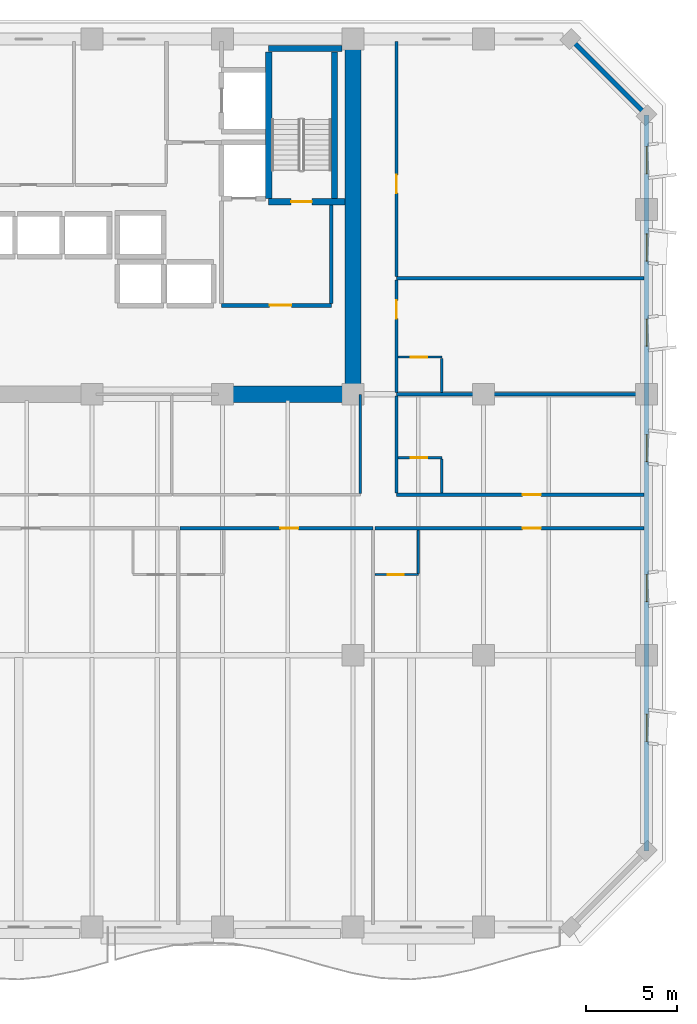
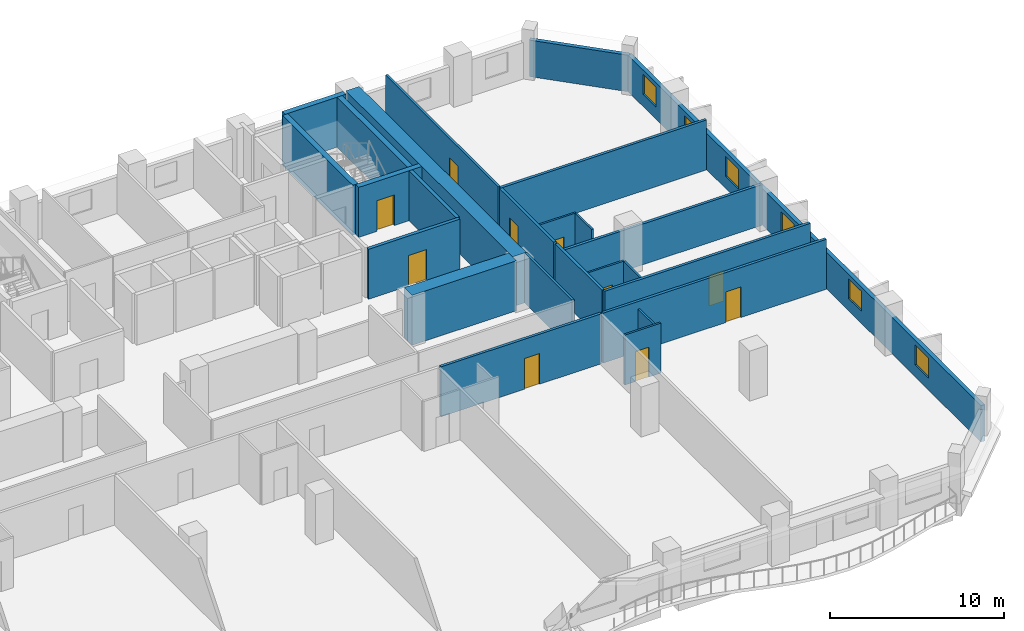
# One storey, part 10 of 15: 25 walls, 10 doors, 6 windows, 16 openings.
"""IFC4 building model written with IfcOpenShell, lengths in metres."""

from ifc_helpers import new_model, si_unit, direction, frame, frame_2d, origin, place, context, subcontext, project, spatial, rectangle, extrude, material, layer, layer_set, type_object, element, fill, save


model = new_model("IFC4")

# Units and contexts
model_context = context("Model", 3, precision=1e-05, world=origin(), true_north=direction((0.0, 1.0)))
body_context = subcontext(model_context, "Body", "Model", "MODEL_VIEW")
ifc_project = project(units=[si_unit("LENGTHUNIT", "METRE"), si_unit("AREAUNIT", "SQUARE_METRE"), si_unit("VOLUMEUNIT", "CUBIC_METRE"), si_unit("PLANEANGLEUNIT", "RADIAN"), si_unit("MASSUNIT", "GRAM", prefix="KILO")], contexts=[model_context])

# Site, building, storey
site_placement = place(None, origin())
site = spatial("IfcSite", under=ifc_project, at=site_placement, CompositionType="ELEMENT")
building_placement = place(site_placement, origin())
building = spatial("IfcBuilding", under=site, at=building_placement, Name="Kaelvorn Grand Hotel", CompositionType="ELEMENT")
storey_placement = place(building_placement, frame((0.0, 0.0, 96.800048828125)))
storey = spatial("IfcBuildingStorey", under=building, at=storey_placement, Name="L22", CompositionType="ELEMENT", Elevation=96.800048828125)

# Walls
ifc_material_1 = material(Name="Concrete C60/75", Category="concrete")
ifc_layer_1 = layer(ifc_material_1, 0.89990234375)
ifc_layer_set_1 = layer_set([ifc_layer_1], Name="Concrete C60/75")
wall_type_1 = type_object("IfcWallType", Name="WL-CORE-900-C60", PredefinedType="SHEAR", material=ifc_layer_set_1)
wall_1_placement = place(storey_placement, frame((67.800048828125, 29.39990234375, 0.0), z_axis=(0.0, 0.0, 1.0), x_axis=(0.0, 1.0, 0.0)))
element("IfcWall", 1, at=wall_1_placement, inside=storey, type_object=wall_type_1, Name="L22 Rear-Core East Shear Wall", PredefinedType="SHEAR", context=body_context, shape_type="SweptSolid", body=[
    extrude(rectangle(XDim=19.2001953125, YDim=0.89990234375, at=frame_2d((9.60009765625, 0.0))), origin(), (0.0, 0.0, 1.0), 3.510009765625),
])
wall_2_placement = place(storey_placement, frame((60.39990234375, 29.39990234375, 0.0), z_axis=(0.0, 0.0, 1.0), x_axis=(1.0, 0.0, 0.0)))
element("IfcWall", 2, at=wall_2_placement, inside=storey, type_object=wall_type_1, Name="L22 Rear-Core Coupled Shear Pier S4", PredefinedType="SHEAR", context=body_context, shape_type="SweptSolid", body=[
    extrude(rectangle(XDim=6.945068359375, YDim=0.89990234375, at=frame_2d((3.47265625, 0.0))), origin(), (0.0, 0.0, 1.0), 3.510009765625),
])

# Wall, openings, windows
ifc_material_2 = material(Name="Concrete C40/50", Category="concrete")
ifc_layer_2 = layer(ifc_material_2, 0.260009765625)
ifc_layer_set_2 = layer_set([ifc_layer_2], Name="Concrete C40/50")
wall_type_2 = type_object("IfcWallType", Name="WL-EXT-260-C40", PredefinedType="SOLIDWALL", material=ifc_layer_set_2)
wall_3_placement = place(storey_placement, frame((84.0, 4.199951171875, 0.0), z_axis=(0.0, 0.0, 1.0), x_axis=(0.0, 1.0, 0.0)))
wall_3 = element("IfcWall", 3, at=wall_3_placement, inside=storey, type_object=wall_type_2, Name="L22 Exterior Architectural Concrete Wall 03", PredefinedType="SOLIDWALL", context=body_context, shape_type="SweptSolid", body=[
    extrude(rectangle(XDim=40.60009765625, YDim=0.260009765625, at=frame_2d((20.300048828125, 0.0))), origin(), (0.0, 0.0, 1.0), 2.56005859375),
])
opening_1_placement = place(wall_3_placement, frame((6.050048828125, 0.0, 0.85009765625)))
opening_1 = element("IfcOpeningElement", 4, at=opening_1_placement, cuts=wall_3, Name="Opening W10", PredefinedType="OPENING", context=body_context, shape_type="SweptSolid", body=[
    extrude(rectangle(XDim=1.5, YDim=1.39990234375, at=frame_2d((0.75, 0.699951171875))), frame((0.0, 0.14013671875, 0.0), z_axis=(0.0, -1.0, 0.0), x_axis=(1.0, 0.0, 0.0)), (0.0, 0.0, 1.0), 0.280029296875),
])
opening_2_placement = place(wall_3_placement, frame((13.75, 0.0, 0.85009765625)))
opening_2 = element("IfcOpeningElement", 5, at=opening_2_placement, cuts=wall_3, Name="Opening W10", PredefinedType="OPENING", context=body_context, shape_type="SweptSolid", body=[
    extrude(rectangle(XDim=1.5, YDim=1.39990234375, at=frame_2d((0.75, 0.699951171875))), frame((0.0, 0.14013671875, 0.0), z_axis=(0.0, -1.0, 0.0), x_axis=(1.0, 0.0, 0.0)), (0.0, 0.0, 1.0), 0.280029296875),
])
opening_3_placement = place(wall_3_placement, frame((21.47509765625, 0.0, 0.85009765625)))
opening_3 = element("IfcOpeningElement", 6, at=opening_3_placement, cuts=wall_3, Name="Opening W10", PredefinedType="OPENING", context=body_context, shape_type="SweptSolid", body=[
    extrude(rectangle(XDim=1.5, YDim=1.39990234375, at=frame_2d((0.75, 0.699951171875))), frame((0.0, 0.14013671875, 0.0), z_axis=(0.0, -1.0, 0.0), x_axis=(1.0, 0.0, 0.0)), (0.0, 0.0, 1.0), 0.280029296875),
])
opening_4_placement = place(wall_3_placement, frame((27.85009765625, 0.0, 0.85009765625)))
opening_4 = element("IfcOpeningElement", 7, at=opening_4_placement, cuts=wall_3, Name="Opening W10", PredefinedType="OPENING", context=body_context, shape_type="SweptSolid", body=[
    extrude(rectangle(XDim=1.5, YDim=1.39990234375, at=frame_2d((0.75, 0.699951171875))), frame((0.0, 0.14013671875, 0.0), z_axis=(0.0, -1.0, 0.0), x_axis=(1.0, 0.0, 0.0)), (0.0, 0.0, 1.0), 0.280029296875),
])
opening_5_placement = place(wall_3_placement, frame((32.550048828125, 0.0, 0.85009765625)))
opening_5 = element("IfcOpeningElement", 8, at=opening_5_placement, cuts=wall_3, Name="Opening W10", PredefinedType="OPENING", context=body_context, shape_type="SweptSolid", body=[
    extrude(rectangle(XDim=1.5, YDim=1.39990234375, at=frame_2d((0.75, 0.699951171875))), frame((0.0, 0.14013671875, 0.0), z_axis=(0.0, -1.0, 0.0), x_axis=(1.0, 0.0, 0.0)), (0.0, 0.0, 1.0), 0.280029296875),
])
opening_6_placement = place(wall_3_placement, frame((37.364990234375, 0.0, 0.85009765625)))
opening_6 = element("IfcOpeningElement", 9, at=opening_6_placement, cuts=wall_3, Name="Opening W10", PredefinedType="OPENING", context=body_context, shape_type="SweptSolid", body=[
    extrude(rectangle(XDim=1.5, YDim=1.39990234375, at=frame_2d((0.75, 0.699951171875))), frame((0.0, 0.14013671875, 0.0), z_axis=(0.0, -1.0, 0.0), x_axis=(1.0, 0.0, 0.0)), (0.0, 0.0, 1.0), 0.280029296875),
])
ifc_material_3 = material(Name="Laminated Low-E Glass", Category="glass")
window_type = type_object("IfcWindowType", Name="WIN-COR-1500x1400", PartitioningType="SINGLE_PANEL", PredefinedType="WINDOW", material=ifc_material_3)
window_1_placement = place(opening_1_placement, origin())
window_1 = element("IfcWindow", 10, at=window_1_placement, inside=storey, type_object=window_type, Name="L22 E Wing Tilted-Frame Ribbon Window E01", OverallHeight=1.39990234375, OverallWidth=1.5, PartitioningType="SINGLE_PANEL", PredefinedType="WINDOW", context=body_context, shape_type="SweptSolid", body=[
    extrude(rectangle(XDim=1.5, YDim=1.39990234375, at=frame_2d((0.75, 0.699951171875))), frame((0.0, 0.030029296875, 0.0), z_axis=(0.0, -1.0, 0.0), x_axis=(1.0, 0.0, 0.0)), (0.0, 0.0, 1.0), 0.06005859375),
])
fill(opening_1, window_1)
window_2_placement = place(opening_2_placement, origin())
window_2 = element("IfcWindow", 11, at=window_2_placement, inside=storey, type_object=window_type, Name="L22 E Wing Tilted-Frame Ribbon Window E02", OverallHeight=1.39990234375, OverallWidth=1.5, PartitioningType="SINGLE_PANEL", PredefinedType="WINDOW", context=body_context, shape_type="SweptSolid", body=[
    extrude(rectangle(XDim=1.5, YDim=1.39990234375, at=frame_2d((0.75, 0.699951171875))), frame((0.0, 0.030029296875, 0.0), z_axis=(0.0, -1.0, 0.0), x_axis=(1.0, 0.0, 0.0)), (0.0, 0.0, 1.0), 0.06005859375),
])
fill(opening_2, window_2)
window_3_placement = place(opening_3_placement, origin())
window_3 = element("IfcWindow", 12, at=window_3_placement, inside=storey, type_object=window_type, Name="L22 E Wing Tilted-Frame Ribbon Window E03", OverallHeight=1.39990234375, OverallWidth=1.5, PartitioningType="SINGLE_PANEL", PredefinedType="WINDOW", context=body_context, shape_type="SweptSolid", body=[
    extrude(rectangle(XDim=1.5, YDim=1.39990234375, at=frame_2d((0.75, 0.699951171875))), frame((0.0, 0.030029296875, 0.0), z_axis=(0.0, -1.0, 0.0), x_axis=(1.0, 0.0, 0.0)), (0.0, 0.0, 1.0), 0.06005859375),
])
fill(opening_3, window_3)
window_4_placement = place(opening_4_placement, origin())
window_4 = element("IfcWindow", 13, at=window_4_placement, inside=storey, type_object=window_type, Name="L22 E Wing Tilted-Frame Ribbon Window E04", OverallHeight=1.39990234375, OverallWidth=1.5, PartitioningType="SINGLE_PANEL", PredefinedType="WINDOW", context=body_context, shape_type="SweptSolid", body=[
    extrude(rectangle(XDim=1.5, YDim=1.39990234375, at=frame_2d((0.75, 0.699951171875))), frame((0.0, 0.030029296875, 0.0), z_axis=(0.0, -1.0, 0.0), x_axis=(1.0, 0.0, 0.0)), (0.0, 0.0, 1.0), 0.06005859375),
])
fill(opening_4, window_4)
window_5_placement = place(opening_5_placement, origin())
window_5 = element("IfcWindow", 14, at=window_5_placement, inside=storey, type_object=window_type, Name="L22 E Wing Tilted-Frame Ribbon Window E05", OverallHeight=1.39990234375, OverallWidth=1.5, PartitioningType="SINGLE_PANEL", PredefinedType="WINDOW", context=body_context, shape_type="SweptSolid", body=[
    extrude(rectangle(XDim=1.5, YDim=1.39990234375, at=frame_2d((0.75, 0.699951171875))), frame((0.0, 0.030029296875, 0.0), z_axis=(0.0, -1.0, 0.0), x_axis=(1.0, 0.0, 0.0)), (0.0, 0.0, 1.0), 0.06005859375),
])
fill(opening_5, window_5)
window_6_placement = place(opening_6_placement, origin())
window_6 = element("IfcWindow", 15, at=window_6_placement, inside=storey, type_object=window_type, Name="L22 E Wing Tilted-Frame Ribbon Window E06", OverallHeight=1.39990234375, OverallWidth=1.5, PartitioningType="SINGLE_PANEL", PredefinedType="WINDOW", context=body_context, shape_type="SweptSolid", body=[
    extrude(rectangle(XDim=1.5, YDim=1.39990234375, at=frame_2d((0.75, 0.699951171875))), frame((0.0, 0.030029296875, 0.0), z_axis=(0.0, -1.0, 0.0), x_axis=(1.0, 0.0, 0.0)), (0.0, 0.0, 1.0), 0.06005859375),
])
fill(opening_6, window_6)

# Wall
wall_4_placement = place(storey_placement, frame((84.0, 44.800048828125, 0.0), z_axis=(0.0, 0.0, 1.0), x_axis=(-0.707106781187, 0.707106781187, 0.0)))
element("IfcWall", 16, at=wall_4_placement, inside=storey, type_object=wall_type_2, Name="L22 Exterior Architectural Concrete Wall 04", PredefinedType="SOLIDWALL", context=body_context, shape_type="SweptSolid", body=[
    extrude(rectangle(XDim=5.939697265625, YDim=0.260009765625, at=frame_2d((2.9697265625, 0.0))), origin(), (0.0, 0.0, 1.0), 2.56005859375),
])

# Wall, opening, door
ifc_material_4 = material(Name="Moisture-Resistant Tile & Stud Board")
ifc_layer_3 = layer(ifc_material_4, 0.125)
ifc_layer_set_3 = layer_set([ifc_layer_3], Name="Moisture-Resistant Tile & Stud Board")
wall_type_3 = type_object("IfcWallType", Name="WL-PART-125-WET", PredefinedType="PARTITIONING", material=ifc_layer_set_3)
wall_5_placement = place(storey_placement, frame((69.00244140625, 19.449951171875, 0.0), z_axis=(0.0, 0.0, 1.0), x_axis=(1.0, 0.0, 0.0)))
wall_5 = element("IfcWall", 17, at=wall_5_placement, inside=storey, type_object=wall_type_3, Name="L22 En-suite Bathroom L22-07 S Partition", PredefinedType="PARTITIONING", context=body_context, shape_type="SweptSolid", body=[
    extrude(rectangle(XDim=2.405029296875, YDim=0.125, at=frame_2d((1.20263671875, 0.0))), origin(), (0.0, 0.0, 1.0), 3.510009765625),
])
opening_7_placement = place(wall_5_placement, frame((0.705078125, 0.0, 0.0)))
opening_7 = element("IfcOpeningElement", 18, at=opening_7_placement, cuts=wall_5, Name="Opening DI4", PredefinedType="OPENING", context=body_context, shape_type="SweptSolid", body=[
    extrude(rectangle(XDim=0.89990234375, YDim=2.10009765625, at=frame_2d((0.449951171875, 1.050048828125))), frame((0.0, 0.072509765625, 0.0), z_axis=(0.0, -1.0, 0.0), x_axis=(1.0, 0.0, 0.0)), (0.0, 0.0, 1.0), 0.14501953125),
])
ifc_material_5 = material(Name="Timber Veneer Leaf", Category="wood")
door_type_1 = type_object("IfcDoorType", Name="DR-INT-BATH-900x2100", OperationType="NOTDEFINED", PredefinedType="DOOR", material=ifc_material_5)
door_1_placement = place(opening_7_placement, origin())
door_1 = element("IfcDoor", 19, at=door_1_placement, inside=storey, type_object=door_type_1, Name="L22 En-suite Bathroom L22-07 Door", OperationType="SINGLE_SWING_LEFT", OverallHeight=2.10009765625, OverallWidth=0.89990234375, PredefinedType="DOOR", context=body_context, shape_type="SweptSolid", body=[
    extrude(rectangle(XDim=0.89990234375, YDim=2.10009765625, at=frame_2d((0.449951171875, 1.050048828125))), frame((0.0, 0.02490234375, 0.0), z_axis=(0.0, -1.0, 0.0), x_axis=(1.0, 0.0, 0.0)), (0.0, 0.0, 1.0), 0.050048828125),
])
fill(opening_7, door_1)

# Wall
wall_6_placement = place(storey_placement, frame((71.407470703125, 19.517578125, 0.0), z_axis=(0.0, 0.0, 1.0), x_axis=(0.0, 1.0, 0.0)))
element("IfcWall", 20, at=wall_6_placement, inside=storey, type_object=wall_type_3, Name="L22 En-suite Bathroom L22-07 E Partition", PredefinedType="PARTITIONING", context=body_context, shape_type="SweptSolid", body=[
    extrude(rectangle(XDim=2.387451171875, YDim=0.125, at=frame_2d((1.19384765625, 0.0))), origin(), (0.0, 0.0, 1.0), 2.976806640625),
])

# Wall, opening, door
wall_7_placement = place(storey_placement, frame((70.294921875, 25.89990234375, 0.0), z_axis=(0.0, 0.0, 1.0), x_axis=(1.0, 0.0, 0.0)))
wall_7 = element("IfcWall", 21, at=wall_7_placement, inside=storey, type_object=wall_type_3, Name="L22 En-suite Bathroom L22-09 N Partition", PredefinedType="PARTITIONING", context=body_context, shape_type="SweptSolid", body=[
    extrude(rectangle(XDim=2.405029296875, YDim=0.125, at=frame_2d((1.20263671875, 0.0))), origin(), (0.0, 0.0, 1.0), 3.510009765625),
])
opening_8_placement = place(wall_7_placement, frame((0.705078125, 0.0, 0.0)))
opening_8 = element("IfcOpeningElement", 22, at=opening_8_placement, cuts=wall_7, Name="Opening DI4", PredefinedType="OPENING", context=body_context, shape_type="SweptSolid", body=[
    extrude(rectangle(XDim=0.89990234375, YDim=2.10009765625, at=frame_2d((0.449951171875, 1.050048828125))), frame((0.0, 0.072509765625, 0.0), z_axis=(0.0, -1.0, 0.0), x_axis=(1.0, 0.0, 0.0)), (0.0, 0.0, 1.0), 0.14501953125),
])
door_2_placement = place(opening_8_placement, origin())
door_2 = element("IfcDoor", 23, at=door_2_placement, inside=storey, type_object=door_type_1, Name="L22 En-suite Bathroom L22-09 Door", OperationType="SINGLE_SWING_LEFT", OverallHeight=2.10009765625, OverallWidth=0.89990234375, PredefinedType="DOOR", context=body_context, shape_type="SweptSolid", body=[
    extrude(rectangle(XDim=0.89990234375, YDim=2.10009765625, at=frame_2d((0.449951171875, 1.050048828125))), frame((0.0, 0.02490234375, 0.0), z_axis=(0.0, -1.0, 0.0), x_axis=(1.0, 0.0, 0.0)), (0.0, 0.0, 1.0), 0.050048828125),
])
fill(opening_8, door_2)

# Wall
wall_8_placement = place(storey_placement, frame((72.699951171875, 23.945068359375, 0.0), z_axis=(0.0, 0.0, 1.0), x_axis=(0.0, 1.0, 0.0)))
element("IfcWall", 24, at=wall_8_placement, inside=storey, type_object=wall_type_3, Name="L22 En-suite Bathroom L22-09 E Partition", PredefinedType="PARTITIONING", context=body_context, shape_type="SweptSolid", body=[
    extrude(rectangle(XDim=1.887451171875, YDim=0.125, at=frame_2d((0.94384765625, 0.0))), origin(), (0.0, 0.0, 1.0), 3.510009765625),
])

# Wall, opening, door
wall_9_placement = place(storey_placement, frame((70.294921875, 31.449951171875, 0.0), z_axis=(0.0, 0.0, 1.0), x_axis=(1.0, 0.0, 0.0)))
wall_9 = element("IfcWall", 25, at=wall_9_placement, inside=storey, type_object=wall_type_3, Name="L22 En-suite Bathroom L22-11 N Partition", PredefinedType="PARTITIONING", context=body_context, shape_type="SweptSolid", body=[
    extrude(rectangle(XDim=2.405029296875, YDim=0.125, at=frame_2d((1.20263671875, 0.0))), origin(), (0.0, 0.0, 1.0), 3.510009765625),
])
opening_9_placement = place(wall_9_placement, frame((0.705078125, 0.0, 0.0)))
opening_9 = element("IfcOpeningElement", 26, at=opening_9_placement, cuts=wall_9, Name="Opening DI4", PredefinedType="OPENING", context=body_context, shape_type="SweptSolid", body=[
    extrude(rectangle(XDim=0.89990234375, YDim=2.10009765625, at=frame_2d((0.449951171875, 1.050048828125))), frame((0.0, 0.072509765625, 0.0), z_axis=(0.0, -1.0, 0.0), x_axis=(1.0, 0.0, 0.0)), (0.0, 0.0, 1.0), 0.14501953125),
])
door_3_placement = place(opening_9_placement, origin())
door_3 = element("IfcDoor", 27, at=door_3_placement, inside=storey, type_object=door_type_1, Name="L22 En-suite Bathroom L22-11 Door", OperationType="SINGLE_SWING_RIGHT", OverallHeight=2.10009765625, OverallWidth=0.89990234375, PredefinedType="DOOR", context=body_context, shape_type="SweptSolid", body=[
    extrude(rectangle(XDim=0.89990234375, YDim=2.10009765625, at=frame_2d((0.449951171875, 1.050048828125))), frame((0.0, 0.02490234375, 0.0), z_axis=(0.0, -1.0, 0.0), x_axis=(1.0, 0.0, 0.0)), (0.0, 0.0, 1.0), 0.050048828125),
])
fill(opening_9, door_3)

# Walls
wall_10_placement = place(storey_placement, frame((72.699951171875, 29.4951171875, 0.0), z_axis=(0.0, 0.0, 1.0), x_axis=(0.0, 1.0, 0.0)))
element("IfcWall", 28, at=wall_10_placement, inside=storey, type_object=wall_type_3, Name="L22 En-suite Bathroom L22-11 E Partition", PredefinedType="PARTITIONING", context=body_context, shape_type="SweptSolid", body=[
    extrude(rectangle(XDim=1.887451171875, YDim=0.125, at=frame_2d((0.94384765625, 0.0))), origin(), (0.0, 0.0, 1.0), 3.510009765625),
])
ifc_material_6 = material(Name="Acoustic Gypsum & Stud Partition")
ifc_layer_4 = layer(ifc_material_6, 0.14990234375)
ifc_layer_set_4 = layer_set([ifc_layer_4], Name="Acoustic Gypsum & Stud Partition")
wall_type_4 = type_object("IfcWallType", Name="WL-PART-150-EI60", PredefinedType="PARTITIONING", material=ifc_layer_set_4)
wall_11_placement = place(storey_placement, frame((68.199951171875, 23.929931640625, 0.0), z_axis=(0.0, 0.0, 1.0), x_axis=(0.0, 1.0, 0.0)))
element("IfcWall", 29, at=wall_11_placement, inside=storey, type_object=wall_type_4, Name="L22 Executive Law Office E Partition", PredefinedType="PARTITIONING", context=body_context, shape_type="SweptSolid", body=[
    extrude(rectangle(XDim=5.4599609375, YDim=0.14990234375, at=frame_2d((2.72998046875, 0.0))), origin(), (0.0, 0.0, 1.0), 3.510009765625),
])

# Wall, opening, door
wall_12_placement = place(storey_placement, frame((70.199951171875, 35.89501953125, 0.0), z_axis=(0.0, 0.0, 1.0), x_axis=(0.0, 1.0, 0.0)))
wall_12 = element("IfcWall", 30, at=wall_12_placement, inside=storey, type_object=wall_type_4, Name="L22 North-East Summit Conference Room W Partition", PredefinedType="PARTITIONING", context=body_context, shape_type="SweptSolid", body=[
    extrude(rectangle(XDim=12.955078125, YDim=0.14990234375, at=frame_2d((6.4775390625, 0.0))), origin(), (0.0, 0.0, 1.0), 3.510009765625),
])
opening_10_placement = place(wall_12_placement, frame((4.60498046875, 0.0, 0.0)))
opening_10 = element("IfcOpeningElement", 31, at=opening_10_placement, cuts=wall_12, Name="Opening DI3", PredefinedType="OPENING", context=body_context, shape_type="SweptSolid", body=[
    extrude(rectangle(XDim=1.0, YDim=2.14990234375, at=frame_2d((0.5, 1.074951171875))), frame((0.0, 0.0849609375, 0.0), z_axis=(0.0, -1.0, 0.0), x_axis=(1.0, 0.0, 0.0)), (0.0, 0.0, 1.0), 0.169921875),
])
ifc_material_7 = material(Name="Timber Veneer Fire Leaf", Category="wood")
door_type_2 = type_object("IfcDoorType", Name="DR-INT-GUEST-1000x2150", OperationType="NOTDEFINED", PredefinedType="DOOR", material=ifc_material_7)
door_4_placement = place(opening_10_placement, origin())
door_4 = element("IfcDoor", 32, at=door_4_placement, inside=storey, type_object=door_type_2, Name="L22 North-East Summit Conference Room Door", OperationType="SINGLE_SWING_LEFT", OverallHeight=2.14990234375, OverallWidth=1.0, PredefinedType="DOOR", context=body_context, shape_type="SweptSolid", body=[
    extrude(rectangle(XDim=1.0, YDim=2.14990234375, at=frame_2d((0.5, 1.074951171875))), frame((0.0, 0.02490234375, 0.0), z_axis=(0.0, -1.0, 0.0), x_axis=(1.0, 0.0, 0.0)), (0.0, 0.0, 1.0), 0.050048828125),
])
fill(opening_10, door_4)

ifc_layer_5 = layer(ifc_material_6, 0.179931640625)
ifc_layer_set_5 = layer_set([ifc_layer_5], Name="Acoustic Gypsum & Stud Partition")
wall_type_5 = type_object("IfcWallType", Name="WL-PART-180-EI60", PredefinedType="PARTITIONING", material=ifc_layer_set_5)
wall_13_placement = place(storey_placement, frame((58.259521484375, 22.0, 0.0), z_axis=(0.0, 0.0, 1.0), x_axis=(1.0, 0.0, 0.0)))
wall_13 = element("IfcWall", 33, at=wall_13_placement, inside=storey, type_object=wall_type_5, Name="L22 Deluxe Panoramic Suite L22-06 N Partition", PredefinedType="PARTITIONING", context=body_context, shape_type="SweptSolid", body=[
    extrude(rectangle(XDim=10.64794921875, YDim=0.179931640625, at=frame_2d((5.323974609375, 0.0))), origin(), (0.0, 0.0, 1.0), 3.510009765625),
])
opening_11_placement = place(wall_13_placement, frame((5.53271484375, 0.0, 0.0)))
opening_11 = element("IfcOpeningElement", 34, at=opening_11_placement, cuts=wall_13, Name="Opening DI3", PredefinedType="OPENING", context=body_context, shape_type="SweptSolid", body=[
    extrude(rectangle(XDim=1.0, YDim=2.14990234375, at=frame_2d((0.5, 1.074951171875))), frame((0.0, 0.10009765625, 0.0), z_axis=(0.0, -1.0, 0.0), x_axis=(1.0, 0.0, 0.0)), (0.0, 0.0, 1.0), 0.199951171875),
])
door_5_placement = place(opening_11_placement, origin())
door_5 = element("IfcDoor", 35, at=door_5_placement, inside=storey, type_object=door_type_2, Name="L22 Deluxe Panoramic Suite L22-06 Door", OperationType="SINGLE_SWING_RIGHT", OverallHeight=2.14990234375, OverallWidth=1.0, PredefinedType="DOOR", context=body_context, shape_type="SweptSolid", body=[
    extrude(rectangle(XDim=1.0, YDim=2.14990234375, at=frame_2d((0.5, 1.074951171875))), frame((0.0, 0.02490234375, 0.0), z_axis=(0.0, -1.0, 0.0), x_axis=(1.0, 0.0, 0.0)), (0.0, 0.0, 1.0), 0.050048828125),
])
fill(opening_11, door_5)

wall_14_placement = place(storey_placement, frame((69.00244140625, 22.0, 0.0), z_axis=(0.0, 0.0, 1.0), x_axis=(1.0, 0.0, 0.0)))
wall_14 = element("IfcWall", 36, at=wall_14_placement, inside=storey, type_object=wall_type_5, Name="L22 Presidential Sky Suite L22-07 N Partition", PredefinedType="PARTITIONING", context=body_context, shape_type="SweptSolid", body=[
    extrude(rectangle(XDim=14.84765625, YDim=0.179931640625, at=frame_2d((7.423828125, 0.0))), origin(), (0.0, 0.0, 1.0), 3.510009765625),
])
opening_12_placement = place(wall_14_placement, frame((8.16259765625, 0.0, 0.0)))
opening_12 = element("IfcOpeningElement", 37, at=opening_12_placement, cuts=wall_14, Name="Opening DI3", PredefinedType="OPENING", context=body_context, shape_type="SweptSolid", body=[
    extrude(rectangle(XDim=1.0, YDim=2.14990234375, at=frame_2d((0.5, 1.074951171875))), frame((0.0, 0.10009765625, 0.0), z_axis=(0.0, -1.0, 0.0), x_axis=(1.0, 0.0, 0.0)), (0.0, 0.0, 1.0), 0.199951171875),
])
door_6_placement = place(opening_12_placement, origin())
door_6 = element("IfcDoor", 38, at=door_6_placement, inside=storey, type_object=door_type_2, Name="L22 Presidential Sky Suite L22-07 Door", OperationType="SINGLE_SWING_RIGHT", OverallHeight=2.14990234375, OverallWidth=1.0, PredefinedType="DOOR", context=body_context, shape_type="SweptSolid", body=[
    extrude(rectangle(XDim=1.0, YDim=2.14990234375, at=frame_2d((0.5, 1.074951171875))), frame((0.0, 0.02490234375, 0.0), z_axis=(0.0, -1.0, 0.0), x_axis=(1.0, 0.0, 0.0)), (0.0, 0.0, 1.0), 0.050048828125),
])
fill(opening_12, door_6)

wall_15_placement = place(storey_placement, frame((70.199951171875, 23.85009765625, 0.0), z_axis=(0.0, 0.0, 1.0), x_axis=(1.0, 0.0, 0.0)))
wall_15 = element("IfcWall", 39, at=wall_15_placement, inside=storey, type_object=wall_type_5, Name="L22 East Chamfer Corner Suite L22-09 S Partition", PredefinedType="PARTITIONING", context=body_context, shape_type="SweptSolid", body=[
    extrude(rectangle(XDim=13.650146484375, YDim=0.179931640625, at=frame_2d((6.8251953125, 0.0))), origin(), (0.0, 0.0, 1.0), 3.510009765625),
])
opening_13_placement = place(wall_15_placement, frame((6.965087890625, 0.0, 0.0)))
opening_13 = element("IfcOpeningElement", 40, at=opening_13_placement, cuts=wall_15, Name="Opening DI3", PredefinedType="OPENING", context=body_context, shape_type="SweptSolid", body=[
    extrude(rectangle(XDim=1.0, YDim=2.14990234375, at=frame_2d((0.5, 1.074951171875))), frame((0.0, 0.10009765625, 0.0), z_axis=(0.0, -1.0, 0.0), x_axis=(1.0, 0.0, 0.0)), (0.0, 0.0, 1.0), 0.199951171875),
])
door_7_placement = place(opening_13_placement, origin())
door_7 = element("IfcDoor", 41, at=door_7_placement, inside=storey, type_object=door_type_2, Name="L22 East Chamfer Corner Suite L22-09 Door", OperationType="SINGLE_SWING_RIGHT", OverallHeight=2.14990234375, OverallWidth=1.0, PredefinedType="DOOR", context=body_context, shape_type="SweptSolid", body=[
    extrude(rectangle(XDim=1.0, YDim=2.14990234375, at=frame_2d((0.5, 1.074951171875))), frame((0.0, 0.02490234375, 0.0), z_axis=(0.0, -1.0, 0.0), x_axis=(1.0, 0.0, 0.0)), (0.0, 0.0, 1.0), 0.050048828125),
])
fill(opening_13, door_7)

# Walls
wall_16_placement = place(storey_placement, frame((70.199951171875, 29.39990234375, 0.0), z_axis=(0.0, 0.0, 1.0), x_axis=(1.0, 0.0, 0.0)))
element("IfcWall", 42, at=wall_16_placement, inside=storey, type_object=wall_type_5, Name="L22 East Chamfer Corner Suite L22-09 N Partition", PredefinedType="PARTITIONING", context=body_context, shape_type="SweptSolid", body=[
    extrude(rectangle(XDim=13.650146484375, YDim=0.179931640625, at=frame_2d((6.8251953125, 0.0))), origin(), (0.0, 0.0, 1.0), 2.85986328125),
])
wall_17_placement = place(storey_placement, frame((70.199951171875, 23.945068359375, 0.0), z_axis=(0.0, 0.0, 1.0), x_axis=(0.0, 1.0, 0.0)))
element("IfcWall", 43, at=wall_17_placement, inside=storey, type_object=wall_type_5, Name="L22 East Chamfer Corner Suite L22-09 W Partition", PredefinedType="PARTITIONING", context=body_context, shape_type="SweptSolid", body=[
    extrude(rectangle(XDim=5.35986328125, YDim=0.179931640625, at=frame_2d((2.679931640625, 0.0))), origin(), (0.0, 0.0, 1.0), 3.510009765625),
])
wall_18_placement = place(storey_placement, frame((70.199951171875, 35.800048828125, 0.0), z_axis=(0.0, 0.0, 1.0), x_axis=(1.0, 0.0, 0.0)))
element("IfcWall", 44, at=wall_18_placement, inside=storey, type_object=wall_type_5, Name="L22 North-East Wing Suite L22-11 N Partition", PredefinedType="PARTITIONING", context=body_context, shape_type="SweptSolid", body=[
    extrude(rectangle(XDim=13.650146484375, YDim=0.179931640625, at=frame_2d((6.8251953125, 0.0))), origin(), (0.0, 0.0, 1.0), 3.510009765625),
])

# Wall, opening, door
wall_19_placement = place(storey_placement, frame((70.199951171875, 29.4951171875, 0.0), z_axis=(0.0, 0.0, 1.0), x_axis=(0.0, 1.0, 0.0)))
wall_19 = element("IfcWall", 45, at=wall_19_placement, inside=storey, type_object=wall_type_5, Name="L22 North-East Wing Suite L22-11 W Partition", PredefinedType="PARTITIONING", context=body_context, shape_type="SweptSolid", body=[
    extrude(rectangle(XDim=6.2099609375, YDim=0.179931640625, at=frame_2d((3.10498046875, 0.0))), origin(), (0.0, 0.0, 1.0), 3.510009765625),
])
opening_14_placement = place(wall_19_placement, frame((4.080078125, 0.0, 0.0)))
opening_14 = element("IfcOpeningElement", 46, at=opening_14_placement, cuts=wall_19, Name="Opening DI3", PredefinedType="OPENING", context=body_context, shape_type="SweptSolid", body=[
    extrude(rectangle(XDim=1.0, YDim=2.14990234375, at=frame_2d((0.5, 1.074951171875))), frame((0.0, 0.10009765625, 0.0), z_axis=(0.0, -1.0, 0.0), x_axis=(1.0, 0.0, 0.0)), (0.0, 0.0, 1.0), 0.199951171875),
])
door_8_placement = place(opening_14_placement, origin())
door_8 = element("IfcDoor", 47, at=door_8_placement, inside=storey, type_object=door_type_2, Name="L22 North-East Wing Suite L22-11 Door", OperationType="SINGLE_SWING_LEFT", OverallHeight=2.14990234375, OverallWidth=1.0, PredefinedType="DOOR", context=body_context, shape_type="SweptSolid", body=[
    extrude(rectangle(XDim=1.0, YDim=2.14990234375, at=frame_2d((0.5, 1.074951171875))), frame((0.0, 0.02490234375, 0.0), z_axis=(0.0, -1.0, 0.0), x_axis=(1.0, 0.0, 0.0)), (0.0, 0.0, 1.0), 0.050048828125),
])
fill(opening_14, door_8)

ifc_layer_6 = layer(ifc_material_2, 0.219970703125)
ifc_layer_set_6 = layer_set([ifc_layer_6], Name="Concrete C40/50")
wall_type_6 = type_object("IfcWallType", Name="WL-PART-220-EI120", PredefinedType="PARTITIONING", material=ifc_layer_set_6)
wall_20_placement = place(storey_placement, frame((60.550048828125, 34.300048828125, 0.0), z_axis=(0.0, 0.0, 1.0), x_axis=(1.0, 0.0, 0.0)))
wall_20 = element("IfcWall", 48, at=wall_20_placement, inside=storey, type_object=wall_type_6, Name="L22 Firefighting Lift Lobby 2 S Partition", PredefinedType="PARTITIONING", context=body_context, shape_type="SweptSolid", body=[
    extrude(rectangle(XDim=6.050048828125, YDim=0.219970703125, at=frame_2d((3.02490234375, 0.0))), origin(), (0.0, 0.0, 1.0), 3.510009765625),
])
opening_15_placement = place(wall_20_placement, frame((2.64990234375, 0.0, 0.0)))
opening_15 = element("IfcOpeningElement", 49, at=opening_15_placement, cuts=wall_20, Name="Opening DI2", PredefinedType="OPENING", context=body_context, shape_type="SweptSolid", body=[
    extrude(rectangle(XDim=1.199951171875, YDim=2.14990234375, at=frame_2d((0.60009765625, 1.074951171875))), frame((0.0, 0.1201171875, 0.0), z_axis=(0.0, -1.0, 0.0), x_axis=(1.0, 0.0, 0.0)), (0.0, 0.0, 1.0), 0.239990234375),
])
door_type_3 = type_object("IfcDoorType", Name="DR-INT-FFLOB-1200x2150", OperationType="NOTDEFINED", PredefinedType="DOOR", material=ifc_material_7)
door_9_placement = place(opening_15_placement, origin())
door_9 = element("IfcDoor", 50, at=door_9_placement, inside=storey, type_object=door_type_3, Name="L22 Firefighting Lift Lobby 2 Door", OperationType="SINGLE_SWING_RIGHT", OverallHeight=2.14990234375, OverallWidth=1.199951171875, PredefinedType="DOOR", context=body_context, shape_type="SweptSolid", body=[
    extrude(rectangle(XDim=1.199951171875, YDim=2.14990234375, at=frame_2d((0.60009765625, 1.074951171875))), frame((0.0, 0.02490234375, 0.0), z_axis=(0.0, -1.0, 0.0), x_axis=(1.0, 0.0, 0.0)), (0.0, 0.0, 1.0), 0.050048828125),
])
fill(opening_15, door_9)

# Wall
wall_21_placement = place(storey_placement, frame((66.60009765625, 34.4150390625, 0.0), z_axis=(0.0, 0.0, 1.0), x_axis=(0.0, 1.0, 0.0)))
element("IfcWall", 51, at=wall_21_placement, inside=storey, type_object=wall_type_6, Name="L22 Firefighting Lift Lobby 2 E Partition", PredefinedType="PARTITIONING", context=body_context, shape_type="SweptSolid", body=[
    extrude(rectangle(XDim=5.429931640625, YDim=0.219970703125, at=frame_2d((2.71484375, 0.0))), origin(), (0.0, 0.0, 1.0), 3.510009765625),
])

# Wall, opening, door
ifc_layer_7 = layer(ifc_material_1, 0.35009765625)
ifc_layer_set_7 = layer_set([ifc_layer_7], Name="Concrete C60/75")
wall_type_7 = type_object("IfcWallType", Name="WL-SHAFT-350-C60", PredefinedType="SHEAR", material=ifc_layer_set_7)
wall_22_placement = place(storey_placement, frame((63.14501953125, 40.02490234375, 0.0), z_axis=(0.0, 0.0, 1.0), x_axis=(1.0, 0.0, 0.0)))
wall_22 = element("IfcWall", 52, at=wall_22_placement, inside=storey, type_object=wall_type_7, Name="L22 ST3 Stair Shaft South Wall", PredefinedType="SHEAR", context=body_context, shape_type="SweptSolid", body=[
    extrude(rectangle(XDim=4.199951171875, YDim=0.35009765625, at=frame_2d((2.10009765625, 0.0))), origin(), (0.0, 0.0, 1.0), 3.510009765625),
])
opening_16_placement = place(wall_22_placement, frame((1.239990234375, 0.0, 0.0)))
opening_16 = element("IfcOpeningElement", 53, at=opening_16_placement, cuts=wall_22, Name="Opening DI1", PredefinedType="OPENING", context=body_context, shape_type="SweptSolid", body=[
    extrude(rectangle(XDim=1.14990234375, YDim=2.14990234375, at=frame_2d((0.574951171875, 1.074951171875))), frame((0.0, 0.18505859375, 0.0), z_axis=(0.0, -1.0, 0.0), x_axis=(1.0, 0.0, 0.0)), (0.0, 0.0, 1.0), 0.3701171875),
])
door_type_4 = type_object("IfcDoorType", Name="DR-INT-STAIR-1150x2150", OperationType="NOTDEFINED", PredefinedType="DOOR", material=ifc_material_7)
door_10_placement = place(opening_16_placement, origin())
door_10 = element("IfcDoor", 54, at=door_10_placement, inside=storey, type_object=door_type_4, Name="L22 ST3 Exit Stair Fire Door", OperationType="SINGLE_SWING_RIGHT", OverallHeight=2.14990234375, OverallWidth=1.14990234375, PredefinedType="DOOR", context=body_context, shape_type="SweptSolid", body=[
    extrude(rectangle(XDim=1.14990234375, YDim=2.14990234375, at=frame_2d((0.574951171875, 1.074951171875))), frame((0.0, 0.02490234375, 0.0), z_axis=(0.0, -1.0, 0.0), x_axis=(1.0, 0.0, 0.0)), (0.0, 0.0, 1.0), 0.050048828125),
])
fill(opening_16, door_10)

# Walls
wall_23_placement = place(storey_placement, frame((63.14501953125, 48.47509765625, 0.0), z_axis=(0.0, 0.0, 1.0), x_axis=(1.0, 0.0, 0.0)))
element("IfcWall", 55, at=wall_23_placement, inside=storey, type_object=wall_type_7, Name="L22 ST3 Stair Shaft North Wall", PredefinedType="SHEAR", context=body_context, shape_type="SweptSolid", body=[
    extrude(rectangle(XDim=4.050048828125, YDim=0.35009765625, at=frame_2d((2.02490234375, 0.0))), origin(), (0.0, 0.0, 1.0), 3.510009765625),
])
for number, where, z_axis, x_axis, name in (
    (56, (63.14501953125, 40.205078125, 0.0), (0.0, 0.0, 1.0), (0.0, 1.0, 0.0), "L22 ST3 Stair Shaft West Wall"),
    (57, (66.77490234375, 40.205078125, 0.0), (0.0, 0.0, 1.0), (0.0, 1.0, 0.0), "L22 ST3 Stair Shaft East Wall"),
):
    element("IfcWall", number, at=place(storey_placement, frame(where, z_axis=z_axis, x_axis=x_axis)), inside=storey, type_object=wall_type_7, Name=name, PredefinedType="SHEAR", context=body_context, shape_type="SweptSolid", body=[
        extrude(rectangle(XDim=8.08984375, YDim=0.35009765625, at=frame_2d((4.044921875, 0.0))), origin(), (0.0, 0.0, 1.0), 3.510009765625),
    ])

save(model, "model.ifc")
